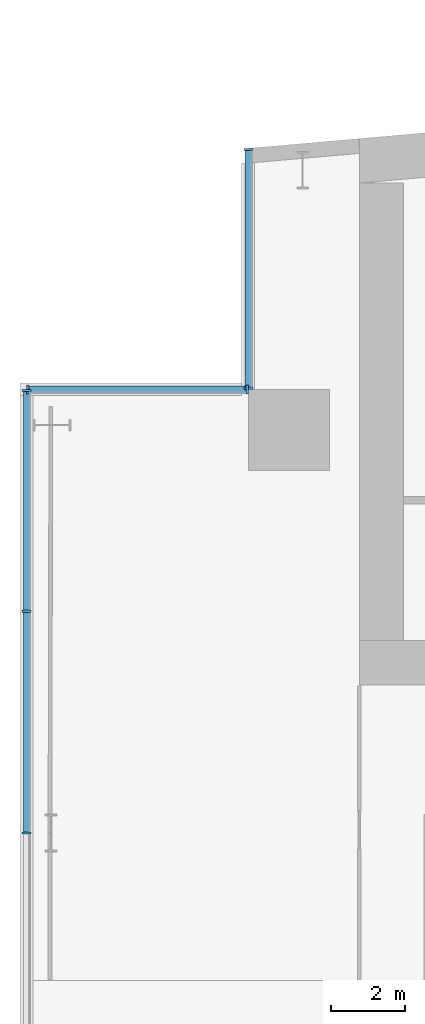
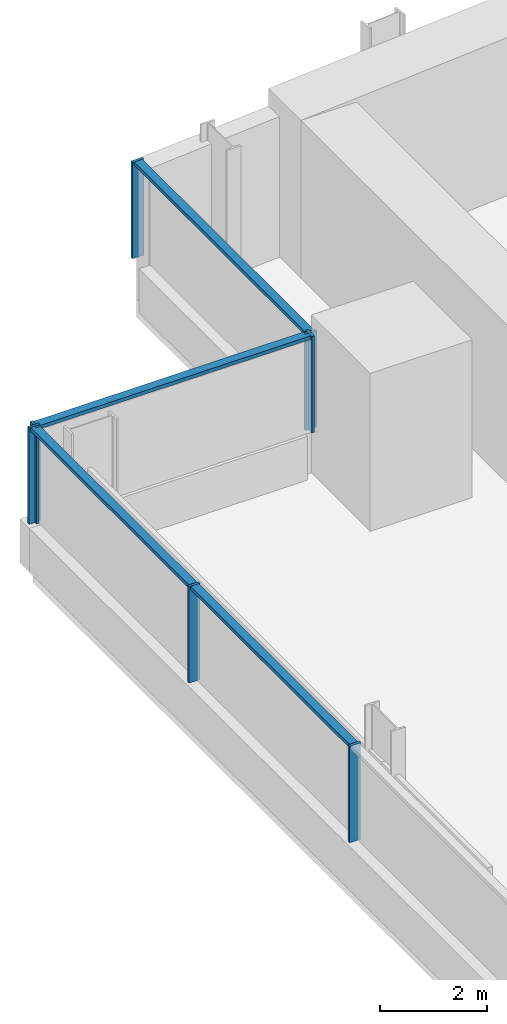
# One storey, part 7 of 24: 11 members, 3 elements without a shape of their own.
"""IFC4 building model written with IfcOpenShell, lengths in metres."""

from ifc_helpers import new_model, si_unit, direction, frame, origin, origin_2d, place, context, subcontext, project, spatial, rectangle, extrude, material, material_profile, profile_set, type_object, element, aggregate, save


model = new_model("IFC4")

# Units and contexts
model_context = context("Model", 3, precision=1e-05, world=origin(), true_north=direction((0.0, 1.0)))
body_context = subcontext(model_context, "Body", "Model", "MODEL_VIEW")
ifc_project = project(units=[si_unit("LENGTHUNIT", "METRE"), si_unit("AREAUNIT", "SQUARE_METRE"), si_unit("VOLUMEUNIT", "CUBIC_METRE"), si_unit("PLANEANGLEUNIT", "RADIAN"), si_unit("MASSUNIT", "GRAM", prefix="KILO")], contexts=[model_context])

# Site, building, storey
site_placement = place(None, origin())
site = spatial("IfcSite", under=ifc_project, at=site_placement, CompositionType="ELEMENT")
building_placement = place(site_placement, origin())
building = spatial("IfcBuilding", under=site, at=building_placement, Name="Wharfspan Tower", CompositionType="ELEMENT")
storey_placement = place(building_placement, frame((0.0, 0.0, 41.5)))
storey = spatial("IfcBuildingStorey", under=building, at=storey_placement, Name="L06", CompositionType="ELEMENT", Elevation=41.5)

# Curtain wall, members
ifc_material = material(Name="Aluminium 6063-T6", Category="aluminium")
curtain_wall_type = type_object("IfcCurtainWallType", Name="CURTAIN WALL PROW AND END", PredefinedType="NOTDEFINED", material=ifc_material)
curtain_wall_1_placement = place(storey_placement, origin())
curtain_wall_1 = element("IfcCurtainWall", 1, at=curtain_wall_1_placement, inside=storey, type_object=curtain_wall_type, Name="Curtain wall NRW-V", PredefinedType="NOTDEFINED")
ifc_material_profile_1 = material_profile(ifc_material, rectangle(XDim=0.23999, YDim=0.060059, at=origin_2d()))
ifc_profile_set_1 = profile_set([ifc_material_profile_1], Name="Aluminium 6063-T6")
member_type_1 = type_object("IfcMemberType", Name="MULLION PROW AND END 60x240", PredefinedType="MULLION", material=ifc_profile_set_1)
member_1_placement = place(storey_placement, frame((6.0, 48.494873, 1.0), z_axis=(0.0, 0.0, 1.0), x_axis=(1.0, 0.0, 0.0)))
member_1 = element("IfcMember", 2, at=member_1_placement, type_object=member_type_1, Name="Curtain wall NRW-V mullion 1", PredefinedType="MULLION", context=body_context, shape_type="SweptSolid", body=[
    extrude(rectangle(XDim=0.23999, YDim=0.060059, at=origin_2d()), origin(), (0.0, 0.0, 1.0), 2.199951),
])
member_2_placement = place(storey_placement, frame((6.0, 42.030029, 1.0), z_axis=(0.0, 0.0, 1.0), x_axis=(1.0, 0.0, 0.0)))
member_2 = element("IfcMember", 3, at=member_2_placement, type_object=member_type_1, Name="Curtain wall NRW-V mullion 2", PredefinedType="MULLION", context=body_context, shape_type="SweptSolid", body=[
    extrude(rectangle(XDim=0.23999, YDim=0.060059, at=origin_2d()), origin(), (0.0, 0.0, 1.0), 2.199951),
])

curtain_wall_2_placement = place(storey_placement, origin())
curtain_wall_2 = element("IfcCurtainWall", 4, at=curtain_wall_2_placement, inside=storey, type_object=curtain_wall_type, Name="Curtain wall NRW-H", PredefinedType="NOTDEFINED")
member_3_placement = place(storey_placement, frame((5.969971, 42.0, 1.0), z_axis=(0.0, 0.0, 1.0), x_axis=(0.0, -1.0, 0.0)))
member_3 = element("IfcMember", 5, at=member_3_placement, type_object=member_type_1, Name="Curtain wall NRW-H mullion 1", PredefinedType="MULLION", context=body_context, shape_type="SweptSolid", body=[
    extrude(rectangle(XDim=0.23999, YDim=0.060059, at=origin_2d()), origin(), (0.0, 0.0, 1.0), 2.199951),
])
member_4_placement = place(storey_placement, frame((0.030029, 42.0, 1.0), z_axis=(0.0, 0.0, 1.0), x_axis=(0.0, -1.0, 0.0)))
member_4 = element("IfcMember", 6, at=member_4_placement, type_object=member_type_1, Name="Curtain wall NRW-H mullion 2", PredefinedType="MULLION", context=body_context, shape_type="SweptSolid", body=[
    extrude(rectangle(XDim=0.23999, YDim=0.060059, at=origin_2d()), origin(), (0.0, 0.0, 1.0), 2.199951),
])

curtain_wall_3_placement = place(storey_placement, origin())
curtain_wall_3 = element("IfcCurtainWall", 7, at=curtain_wall_3_placement, inside=storey, type_object=curtain_wall_type, Name="Curtain wall W", PredefinedType="NOTDEFINED")
member_5_placement = place(storey_placement, frame((0.0, 41.969971, 1.0), z_axis=(0.0, 0.0, 1.0), x_axis=(1.0, 0.0, 0.0)))
member_5 = element("IfcMember", 8, at=member_5_placement, type_object=member_type_1, Name="Curtain wall W mullion 1", PredefinedType="MULLION", context=body_context, shape_type="SweptSolid", body=[
    extrude(rectangle(XDim=0.23999, YDim=0.060059, at=origin_2d()), origin(), (0.0, 0.0, 1.0), 2.199951),
])
member_6_placement = place(storey_placement, frame((0.0, 36.0, 1.0), z_axis=(0.0, 0.0, 1.0), x_axis=(1.0, 0.0, 0.0)))
member_6 = element("IfcMember", 9, at=member_6_placement, type_object=member_type_1, Name="Curtain wall W mullion 2", PredefinedType="MULLION", context=body_context, shape_type="SweptSolid", body=[
    extrude(rectangle(XDim=0.23999, YDim=0.060059, at=origin_2d()), origin(), (0.0, 0.0, 1.0), 2.199951),
])
member_7_placement = place(storey_placement, frame((0.0, 30.0, 1.0), z_axis=(0.0, 0.0, 1.0), x_axis=(1.0, 0.0, 0.0)))
member_7 = element("IfcMember", 10, at=member_7_placement, type_object=member_type_1, Name="Curtain wall W mullion 3", PredefinedType="MULLION", context=body_context, shape_type="SweptSolid", body=[
    extrude(rectangle(XDim=0.23999, YDim=0.060059, at=origin_2d()), origin(), (0.0, 0.0, 1.0), 2.199951),
])

# Member
ifc_material_profile_2 = material_profile(ifc_material, rectangle(XDim=0.179932, YDim=0.080078, at=origin_2d()))
ifc_profile_set_2 = profile_set([ifc_material_profile_2], Name="Aluminium 6063-T6")
member_type_2 = type_object("IfcMemberType", Name="TRANSOM PROW AND END 80x180", PredefinedType="USERDEFINED", material=ifc_profile_set_2)
member_8_placement = place(storey_placement, frame((6.0, 48.464844, 3.159912), z_axis=(0.0, -1.0, 0.0), x_axis=(1.0, 0.0, 0.0)))
member_8 = element("IfcMember", 11, at=member_8_placement, type_object=member_type_2, Name="Curtain wall NRW-V transom 1", ObjectType="TRANSOM", PredefinedType="USERDEFINED", context=body_context, shape_type="SweptSolid", body=[
    extrude(rectangle(XDim=0.179932, YDim=0.080078, at=origin_2d()), origin(), (0.0, 0.0, 1.0), 6.404785),
])

aggregate(curtain_wall_1, [member_1, member_2, member_8])

member_9_placement = place(storey_placement, frame((5.939941, 42.0, 3.159912), z_axis=(-1.0, 0.0, 0.0), x_axis=(0.0, -1.0, 0.0)))
member_9 = element("IfcMember", 12, at=member_9_placement, type_object=member_type_2, Name="Curtain wall NRW-H transom 1", ObjectType="TRANSOM", PredefinedType="USERDEFINED", context=body_context, shape_type="SweptSolid", body=[
    extrude(rectangle(XDim=0.179932, YDim=0.080078, at=origin_2d()), origin(), (0.0, 0.0, 1.0), 5.879883),
])

aggregate(curtain_wall_2, [member_3, member_4, member_9])

member_10_placement = place(storey_placement, frame((0.0, 41.939941, 3.159912), z_axis=(0.0, -1.0, 0.0), x_axis=(1.0, 0.0, 0.0)))
member_10 = element("IfcMember", 13, at=member_10_placement, type_object=member_type_2, Name="Curtain wall W transom 1", ObjectType="TRANSOM", PredefinedType="USERDEFINED", context=body_context, shape_type="SweptSolid", body=[
    extrude(rectangle(XDim=0.179932, YDim=0.080078, at=origin_2d()), origin(), (0.0, 0.0, 1.0), 5.909912),
])

member_11_placement = place(storey_placement, frame((0.0, 35.969971, 3.159912), z_axis=(0.0, -1.0, 0.0), x_axis=(1.0, 0.0, 0.0)))
member_11 = element("IfcMember", 14, at=member_11_placement, type_object=member_type_2, Name="Curtain wall W transom 2", ObjectType="TRANSOM", PredefinedType="USERDEFINED", context=body_context, shape_type="SweptSolid", body=[
    extrude(rectangle(XDim=0.179932, YDim=0.080078, at=origin_2d()), origin(), (0.0, 0.0, 1.0), 5.939941),
])

aggregate(curtain_wall_3, [member_5, member_6, member_7, member_10, member_11])

save(model, "model.ifc")
